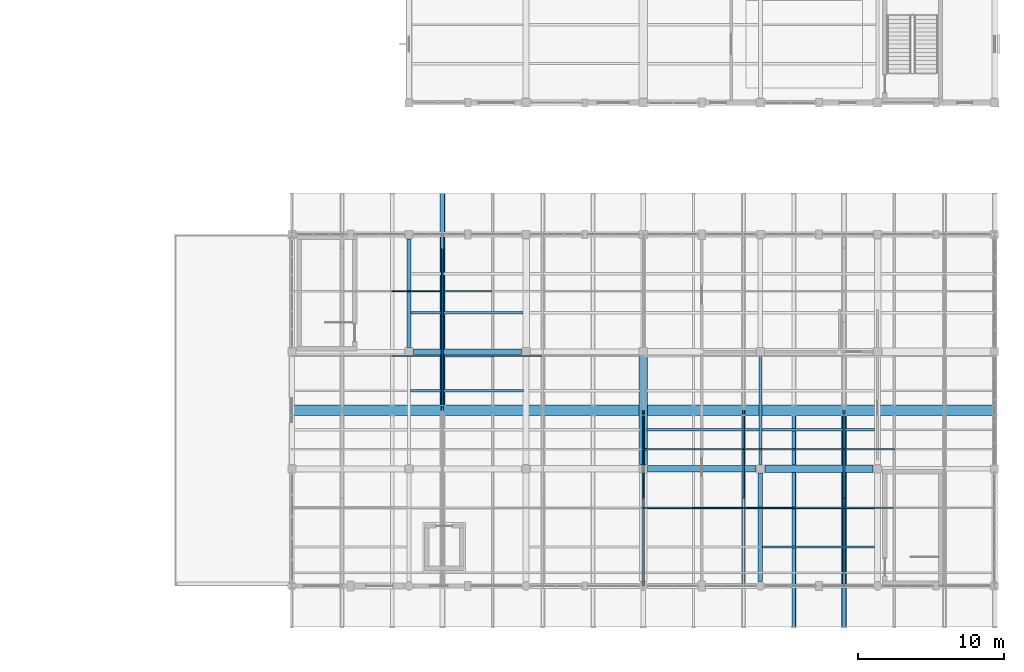
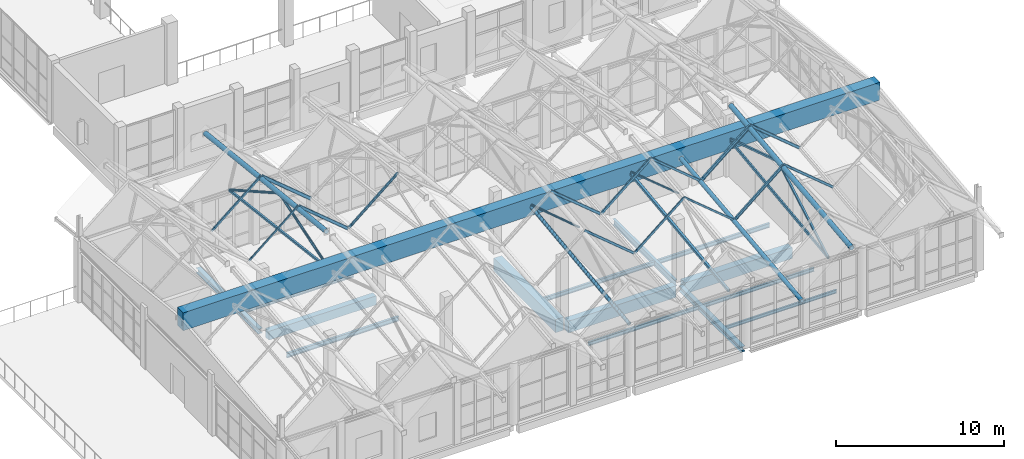
# One storey, part 76 of 183: 25 members, 18 beams.
"""IFC4 building model written with IfcOpenShell, lengths in metres."""

from ifc_helpers import new_model, si_unit, direction, frame, origin, origin_2d, place, context, subcontext, project, spatial, rectangle, hollow_rectangle, hollow_circle, i_section, extrude, material, material_profile, profile_set, type_object, element, save


model = new_model("IFC4")

# Units and contexts
model_context = context("Model", 3, precision=1e-05, world=origin(), true_north=direction((0.0, 1.0)))
body_context = subcontext(model_context, "Body", "Model", "MODEL_VIEW")
ifc_project = project(units=[si_unit("LENGTHUNIT", "METRE"), si_unit("AREAUNIT", "SQUARE_METRE"), si_unit("VOLUMEUNIT", "CUBIC_METRE"), si_unit("PLANEANGLEUNIT", "RADIAN"), si_unit("MASSUNIT", "GRAM", prefix="KILO")], contexts=[model_context])

# Site, building, storey
site_placement = place(None, origin())
site = spatial("IfcSite", under=ifc_project, at=site_placement, CompositionType="ELEMENT")
building_placement = place(site_placement, origin())
building = spatial("IfcBuilding", under=site, at=building_placement, Name="Luwemba Playhouse", CompositionType="ELEMENT")
storey_placement = place(building_placement, frame((0.0, 0.0, 4.800048828125)))
storey = spatial("IfcBuildingStorey", under=building, at=storey_placement, Name="L01", CompositionType="ELEMENT", Elevation=4.800048828125)

# Beams
ifc_material_1 = material(Name="Concrete C40/50", Category="concrete")
ifc_material_profile_1 = material_profile(ifc_material_1, rectangle(XDim=0.39990234375, YDim=0.64990234375, at=origin_2d()))
ifc_profile_set_1 = profile_set([ifc_material_profile_1], Name="Concrete C40/50")
beam_type_1 = type_object("IfcBeamType", Name="BM-RB02", PredefinedType="BEAM", material=ifc_profile_set_1)
beam_1_placement = place(storey_placement, frame((132.300048828125, 19.0, -0.574951171875), z_axis=(1.0, 0.0, 0.0), x_axis=(0.0, 1.0, 0.0)))
element("IfcBeam", 1, at=beam_1_placement, inside=storey, type_object=beam_type_1, Name="L01 grid girder 0532", PredefinedType="BEAM", context=body_context, shape_type="SweptSolid", body=[
    extrude(rectangle(XDim=0.39990234375, YDim=0.64990234375, at=origin_2d()), origin(), (0.0, 0.0, 1.0), 7.39990234375),
])
ifc_material_profile_2 = material_profile(ifc_material_1, rectangle(XDim=0.449951171875, YDim=0.85009765625, at=origin_2d()))
ifc_profile_set_2 = profile_set([ifc_material_profile_2], Name="Concrete C40/50")
beam_type_2 = type_object("IfcBeamType", Name="BM-RB05", PredefinedType="BEAM", material=ifc_profile_set_2)
beam_2_placement = place(storey_placement, frame((148.300048828125, 11.0, -0.675048828125), z_axis=(1.0, 0.0, 0.0), x_axis=(0.0, 1.0, 0.0)))
element("IfcBeam", 2, at=beam_2_placement, inside=storey, type_object=beam_type_2, Name="L01 grid girder 0528", PredefinedType="BEAM", context=body_context, shape_type="SweptSolid", body=[
    extrude(rectangle(XDim=0.449951171875, YDim=0.85009765625, at=origin_2d()), origin(), (0.0, 0.0, 1.0), 7.39990234375),
])
ifc_material_profile_3 = material_profile(ifc_material_1, rectangle(XDim=0.5, YDim=0.800048828125, at=origin_2d()))
ifc_profile_set_3 = profile_set([ifc_material_profile_3], Name="Concrete C40/50")
beam_type_3 = type_object("IfcBeamType", Name="BM-RB06", PredefinedType="BEAM", material=ifc_profile_set_3)
beam_3_placement = place(storey_placement, frame((156.300048828125, 11.0, -0.650146484375), z_axis=(1.0, 0.0, 0.0), x_axis=(0.0, 1.0, 0.0)))
element("IfcBeam", 3, at=beam_3_placement, inside=storey, type_object=beam_type_3, Name="L01 grid girder 0529", PredefinedType="BEAM", context=body_context, shape_type="SweptSolid", body=[
    extrude(rectangle(XDim=0.5, YDim=0.800048828125, at=origin_2d()), origin(), (0.0, 0.0, 1.0), 7.39990234375),
])
ifc_material_profile_4 = material_profile(ifc_material_1, rectangle(XDim=0.550048828125, YDim=0.949951171875, at=origin_2d()))
ifc_profile_set_4 = profile_set([ifc_material_profile_4], Name="Concrete C40/50")
beam_type_4 = type_object("IfcBeamType", Name="BM-RB08", PredefinedType="BEAM", material=ifc_profile_set_4)
beam_4_placement = place(storey_placement, frame((148.0, 11.300048828125, -0.72509765625), z_axis=(0.0, 1.0, 0.0), x_axis=(-1.0, 0.0, 0.0)))
element("IfcBeam", 4, at=beam_4_placement, inside=storey, type_object=beam_type_4, Name="L01 transverse girder 0553", PredefinedType="BEAM", context=body_context, shape_type="SweptSolid", body=[
    extrude(rectangle(XDim=0.550048828125, YDim=0.949951171875, at=origin_2d()), origin(), (0.0, 0.0, 1.0), 7.39990234375),
])
ifc_material_profile_5 = material_profile(ifc_material_1, rectangle(XDim=0.699951171875, YDim=1.300048828125, at=origin_2d()))
ifc_profile_set_5 = profile_set([ifc_material_profile_5], Name="Concrete C40/50")
beam_type_5 = type_object("IfcBeamType", Name="BM-RB12", PredefinedType="BEAM", material=ifc_profile_set_5)
beam_5_placement = place(storey_placement, frame((124.0, 15.0, 5.864013671875), z_axis=(1.0, 0.0, 0.0), x_axis=(0.0, 1.0, 0.0)))
element("IfcBeam", 5, at=beam_5_placement, inside=storey, type_object=beam_type_5, Name="RF-V5E central ridge spine girder 0311", PredefinedType="BEAM", context=body_context, shape_type="SweptSolid", body=[
    extrude(rectangle(XDim=0.699951171875, YDim=1.300048828125, at=origin_2d()), origin(), (0.0, 0.0, 1.0), 48.0),
])
ifc_material_2 = material(Name="Steel S355", Category="steel")
ifc_material_profile_6 = material_profile(ifc_material_2, hollow_circle(Radius=0.136474609375, WallThickness=0.012451171875, at=origin_2d()))
ifc_profile_set_6 = profile_set([ifc_material_profile_6], Name="Steel S355")
beam_type_6 = type_object("IfcBeamType", Name="BM-RTG3", PredefinedType="USERDEFINED", material=ifc_profile_set_6)
beam_6_placement = place(storey_placement, frame((158.28564453125, 0.199951171875, 4.15478515625), z_axis=(0.0, 0.993786292845, 0.111305005073), x_axis=(-1.0, 0.0, 0.0)))
element("IfcBeam", 6, at=beam_6_placement, inside=storey, type_object=beam_type_6, Name="ROOF TRUSS valley girder 0332", ObjectType="ROOF TRUSS", PredefinedType="USERDEFINED", context=body_context, shape_type="SweptSolid", body=[
    extrude(hollow_circle(Radius=0.136474609375, WallThickness=0.012451171875, at=origin_2d()), origin(), (0.0, 0.0, 1.0), 14.540283203125),
])
ifc_material_profile_7 = material_profile(ifc_material_2, hollow_circle(Radius=0.161865234375, WallThickness=0.01611328125, at=origin_2d()))
ifc_profile_set_7 = profile_set([ifc_material_profile_7], Name="Steel S355")
beam_type_7 = type_object("IfcBeamType", Name="BM-RTG4", PredefinedType="USERDEFINED", material=ifc_profile_set_7)
for number, where, z_axis, x_axis, name in (
    (7, (134.28564453125, 15.35009765625, 8.425537109375), (0.0, 0.993786292845, -0.111305005073), (-1.0, 0.0, 0.0), "ROOF TRUSS ridge girder 0319"),
    (8, (161.71435546875, 0.199951171875, 6.80712890625), (0.0, 0.993786292845, 0.111305005073), (-1.0, 0.0, 0.0), "ROOF TRUSS ridge girder 0334"),
):
    element("IfcBeam", number, at=place(storey_placement, frame(where, z_axis=z_axis, x_axis=x_axis)), inside=storey, type_object=beam_type_7, Name=name, ObjectType="ROOF TRUSS", PredefinedType="USERDEFINED", context=body_context, shape_type="SweptSolid", body=[
        extrude(hollow_circle(Radius=0.161865234375, WallThickness=0.01611328125, at=origin_2d()), origin(), (0.0, 0.0, 1.0), 14.540283203125),
    ])
ifc_material_profile_8 = material_profile(ifc_material_2, i_section(OverallWidth=0.300048828125, OverallDepth=0.389892578125, WebThickness=0.010986328125, FlangeThickness=0.01904296875, FilletRadius=0.027099609375, at=origin_2d()))
ifc_profile_set_8 = profile_set([ifc_material_profile_8], Name="Steel S355")
beam_type_8 = type_object("IfcBeamType", Name="BM-SB05", PredefinedType="BEAM", material=ifc_profile_set_8)
beam_7_placement = place(storey_placement, frame((156.0, 3.300048828125, -0.445068359375), z_axis=(0.0, 1.0, 0.0), x_axis=(-1.0, 0.0, 0.0)))
element("IfcBeam", 9, at=beam_7_placement, inside=storey, type_object=beam_type_8, Name="L01 transverse girder 0555", PredefinedType="BEAM", context=body_context, shape_type="SweptSolid", body=[
    extrude(i_section(OverallWidth=0.300048828125, OverallDepth=0.389892578125, WebThickness=0.010986328125, FlangeThickness=0.01904296875, FilletRadius=0.027099609375, at=origin_2d()), origin(), (0.0, 0.0, 1.0), 7.39990234375),
])
ifc_material_profile_9 = material_profile(ifc_material_2, i_section(OverallWidth=0.18994140625, OverallDepth=0.449951171875, WebThickness=0.009521484375, FlangeThickness=0.0146484375, FilletRadius=0.02099609375, at=origin_2d()))
ifc_profile_set_9 = profile_set([ifc_material_profile_9], Name="Steel S355")
beam_type_9 = type_object("IfcBeamType", Name="BM-SB06", PredefinedType="BEAM", material=ifc_profile_set_9)
beam_8_placement = place(storey_placement, frame((156.0, 11.300048828125, -0.47509765625), z_axis=(0.0, 1.0, 0.0), x_axis=(-1.0, 0.0, 0.0)))
element("IfcBeam", 10, at=beam_8_placement, inside=storey, type_object=beam_type_9, Name="L01 transverse girder 0556", PredefinedType="BEAM", context=body_context, shape_type="SweptSolid", body=[
    extrude(i_section(OverallWidth=0.18994140625, OverallDepth=0.449951171875, WebThickness=0.009521484375, FlangeThickness=0.0146484375, FilletRadius=0.02099609375, at=origin_2d()), origin(), (0.0, 0.0, 1.0), 7.39990234375),
])
ifc_material_profile_10 = material_profile(ifc_material_2, i_section(OverallWidth=0.300048828125, OverallDepth=0.360107421875, WebThickness=0.012451171875, FlangeThickness=0.0224609375, FilletRadius=0.027099609375, at=origin_2d()))
ifc_profile_set_10 = profile_set([ifc_material_profile_10], Name="Steel S355")
beam_type_10 = type_object("IfcBeamType", Name="BM-SB09", PredefinedType="BEAM", material=ifc_profile_set_10)
beam_9_placement = place(storey_placement, frame((132.0, 19.300048828125, -0.429931640625), z_axis=(0.0, 1.0, 0.0), x_axis=(-1.0, 0.0, 0.0)))
element("IfcBeam", 11, at=beam_9_placement, inside=storey, type_object=beam_type_10, Name="L01 transverse girder 0548", PredefinedType="BEAM", context=body_context, shape_type="SweptSolid", body=[
    extrude(i_section(OverallWidth=0.300048828125, OverallDepth=0.360107421875, WebThickness=0.012451171875, FlangeThickness=0.0224609375, FilletRadius=0.027099609375, at=origin_2d()), origin(), (0.0, 0.0, 1.0), 7.39990234375),
])
ifc_material_profile_11 = material_profile(ifc_material_2, i_section(OverallWidth=0.1201171875, OverallDepth=0.239990234375, WebThickness=0.006103515625, FlangeThickness=0.009765625, FilletRadius=0.014892578125, at=origin_2d()))
ifc_profile_set_11 = profile_set([ifc_material_profile_11], Name="Steel S355")
beam_type_11 = type_object("IfcBeamType", Name="BM-SJ03", PredefinedType="JOIST", material=ifc_profile_set_11)
beam_10_placement = place(storey_placement, frame((156.14599609375, 5.666748046875, -0.3701171875), z_axis=(1.0, 0.0, 0.0), x_axis=(0.0, 1.0, 0.0)))
element("IfcBeam", 12, at=beam_10_placement, inside=storey, type_object=beam_type_11, Name="L01 composite floor joist 0328", PredefinedType="JOIST", context=body_context, shape_type="SweptSolid", body=[
    extrude(i_section(OverallWidth=0.1201171875, OverallDepth=0.239990234375, WebThickness=0.006103515625, FlangeThickness=0.009765625, FilletRadius=0.014892578125, at=origin_2d()), origin(), (0.0, 0.0, 1.0), 7.657958984375),
])
ifc_material_profile_12 = material_profile(ifc_material_2, i_section(OverallWidth=0.135009765625, OverallDepth=0.27001953125, WebThickness=0.006591796875, FlangeThickness=0.01025390625, FilletRadius=0.014892578125, at=origin_2d()))
ifc_profile_set_12 = profile_set([ifc_material_profile_12], Name="Steel S355")
beam_type_12 = type_object("IfcBeamType", Name="BM-SJ04", PredefinedType="JOIST", material=ifc_profile_set_12)
beam_11_placement = place(storey_placement, frame((148.24609375, 8.333251953125, -0.385009765625), z_axis=(1.0, 0.0, 0.0), x_axis=(0.0, 1.0, 0.0)))
element("IfcBeam", 13, at=beam_11_placement, inside=storey, type_object=beam_type_12, Name="L01 composite floor joist 0323", PredefinedType="JOIST", context=body_context, shape_type="SweptSolid", body=[
    extrude(i_section(OverallWidth=0.135009765625, OverallDepth=0.27001953125, WebThickness=0.006591796875, FlangeThickness=0.01025390625, FilletRadius=0.014892578125, at=origin_2d()), origin(), (0.0, 0.0, 1.0), 7.60791015625),
])
beam_12_placement = place(storey_placement, frame((156.14599609375, 8.333251953125, -0.385009765625), z_axis=(1.0, 0.0, 0.0), x_axis=(0.0, 1.0, 0.0)))
element("IfcBeam", 14, at=beam_12_placement, inside=storey, type_object=beam_type_12, Name="L01 composite floor joist 0329", PredefinedType="JOIST", context=body_context, shape_type="SweptSolid", body=[
    extrude(i_section(OverallWidth=0.135009765625, OverallDepth=0.27001953125, WebThickness=0.006591796875, FlangeThickness=0.01025390625, FilletRadius=0.014892578125, at=origin_2d()), origin(), (0.0, 0.0, 1.0), 7.657958984375),
])
ifc_material_profile_13 = material_profile(ifc_material_2, i_section(OverallWidth=0.14990234375, OverallDepth=0.300048828125, WebThickness=0.007080078125, FlangeThickness=0.0107421875, FilletRadius=0.014892578125, at=origin_2d()))
ifc_profile_set_13 = profile_set([ifc_material_profile_13], Name="Steel S355")
beam_type_13 = type_object("IfcBeamType", Name="BM-SJ05", PredefinedType="JOIST", material=ifc_profile_set_13)
beam_13_placement = place(storey_placement, frame((148.27099609375, 13.666748046875, -0.400146484375), z_axis=(1.0, 0.0, 0.0), x_axis=(0.0, 1.0, 0.0)))
element("IfcBeam", 15, at=beam_13_placement, inside=storey, type_object=beam_type_13, Name="L01 composite floor joist 0324", PredefinedType="JOIST", context=body_context, shape_type="SweptSolid", body=[
    extrude(i_section(OverallWidth=0.14990234375, OverallDepth=0.300048828125, WebThickness=0.007080078125, FlangeThickness=0.0107421875, FilletRadius=0.014892578125, at=origin_2d()), origin(), (0.0, 0.0, 1.0), 7.637939453125),
])
beam_14_placement = place(storey_placement, frame((156.091064453125, 13.666748046875, -0.400146484375), z_axis=(1.0, 0.0, 0.0), x_axis=(0.0, 1.0, 0.0)))
element("IfcBeam", 16, at=beam_14_placement, inside=storey, type_object=beam_type_13, Name="L01 composite floor joist 0330", PredefinedType="JOIST", context=body_context, shape_type="SweptSolid", body=[
    extrude(i_section(OverallWidth=0.14990234375, OverallDepth=0.300048828125, WebThickness=0.007080078125, FlangeThickness=0.0107421875, FilletRadius=0.014892578125, at=origin_2d()), origin(), (0.0, 0.0, 1.0), 7.712890625),
])
ifc_material_profile_14 = material_profile(ifc_material_2, i_section(OverallWidth=0.159912109375, OverallDepth=0.330078125, WebThickness=0.007568359375, FlangeThickness=0.011474609375, FilletRadius=0.01806640625, at=origin_2d()))
ifc_profile_set_14 = profile_set([ifc_material_profile_14], Name="Steel S355")
beam_type_14 = type_object("IfcBeamType", Name="BM-SJ06", PredefinedType="JOIST", material=ifc_profile_set_14)
beam_15_placement = place(storey_placement, frame((132.091064453125, 16.333251953125, -0.4150390625), z_axis=(1.0, 0.0, 0.0), x_axis=(0.0, 1.0, 0.0)))
element("IfcBeam", 17, at=beam_15_placement, inside=storey, type_object=beam_type_14, Name="L01 composite floor joist 0313", PredefinedType="JOIST", context=body_context, shape_type="SweptSolid", body=[
    extrude(i_section(OverallWidth=0.159912109375, OverallDepth=0.330078125, WebThickness=0.007568359375, FlangeThickness=0.011474609375, FilletRadius=0.01806640625, at=origin_2d()), origin(), (0.0, 0.0, 1.0), 7.712890625),
])
ifc_material_profile_15 = material_profile(ifc_material_2, i_section(OverallWidth=0.169921875, OverallDepth=0.360107421875, WebThickness=0.008056640625, FlangeThickness=0.0126953125, FilletRadius=0.01806640625, at=origin_2d()))
ifc_profile_set_15 = profile_set([ifc_material_profile_15], Name="Steel S355")
beam_type_15 = type_object("IfcBeamType", Name="BM-SJ07", PredefinedType="JOIST", material=ifc_profile_set_15)
beam_16_placement = place(storey_placement, frame((132.14599609375, 21.666748046875, -0.429931640625), z_axis=(1.0, 0.0, 0.0), x_axis=(0.0, 1.0, 0.0)))
element("IfcBeam", 18, at=beam_16_placement, inside=storey, type_object=beam_type_15, Name="L01 composite floor joist 0314", PredefinedType="JOIST", context=body_context, shape_type="SweptSolid", body=[
    extrude(i_section(OverallWidth=0.169921875, OverallDepth=0.360107421875, WebThickness=0.008056640625, FlangeThickness=0.0126953125, FilletRadius=0.01806640625, at=origin_2d()), origin(), (0.0, 0.0, 1.0), 7.633056640625),
])

# Members
ifc_material_profile_16 = material_profile(ifc_material_2, hollow_circle(Radius=0.06982421875, WallThickness=0.008056640625, at=origin_2d()))
ifc_profile_set_16 = profile_set([ifc_material_profile_16], Name="Steel S355")
member_type_1 = type_object("IfcMemberType", Name="MEM-MB01", PredefinedType="BRACE", material=ifc_profile_set_16)
member_1_placement = place(storey_placement, frame((148.0, 15.0, 5.864013671875), z_axis=(0.0, -0.952022112225, 0.306029243432), x_axis=(1.0, 0.0, 0.0)))
element("IfcMember", 19, at=member_1_placement, inside=storey, type_object=member_type_1, Name="ROOF TRUSS web diagonal 0286", PredefinedType="BRACE", context=body_context, shape_type="SweptSolid", body=[
    extrude(hollow_circle(Radius=0.06982421875, WallThickness=0.008056640625, at=origin_2d()), origin(), (0.0, 0.0, 1.0), 6.302490234375),
])
ifc_material_profile_17 = material_profile(ifc_material_2, hollow_circle(Radius=0.084228515625, WallThickness=0.008056640625, at=origin_2d()))
ifc_profile_set_17 = profile_set([ifc_material_profile_17], Name="Steel S355")
member_type_2 = type_object("IfcMemberType", Name="MEM-MB02", PredefinedType="BRACE", material=ifc_profile_set_17)
member_2_placement = place(storey_placement, frame((134.28564453125, 15.0, 5.864013671875), z_axis=(0.0, 0.952022112225, 0.306029243432), x_axis=(-1.0, 0.0, 0.0)))
element("IfcMember", 20, at=member_2_placement, inside=storey, type_object=member_type_2, Name="ROOF TRUSS web diagonal 0275", PredefinedType="BRACE", context=body_context, shape_type="SweptSolid", body=[
    extrude(hollow_circle(Radius=0.084228515625, WallThickness=0.008056640625, at=origin_2d()), origin(), (0.0, 0.0, 1.0), 6.302490234375),
])
member_3_placement = place(storey_placement, frame((134.28564453125, 27.0, 4.39990234375), z_axis=(0.0, -0.870468489249, 0.492224145308), x_axis=(1.0, 0.0, 0.0)))
element("IfcMember", 21, at=member_3_placement, inside=storey, type_object=member_type_2, Name="ROOF TRUSS web diagonal 0276", PredefinedType="BRACE", context=body_context, shape_type="SweptSolid", body=[
    extrude(hollow_circle(Radius=0.084228515625, WallThickness=0.008056640625, at=origin_2d()), origin(), (0.0, 0.0, 1.0), 6.892822265625),
])
ifc_material_profile_18 = material_profile(ifc_material_2, hollow_rectangle(XDim=0.10009765625, YDim=0.10009765625, WallThickness=0.00634765625, InnerFilletRadius=0.009521484375, OuterFilletRadius=0.015869140625, at=origin_2d()))
ifc_profile_set_18 = profile_set([ifc_material_profile_18], Name="Steel S355")
member_type_3 = type_object("IfcMemberType", Name="MEM-MB05", PredefinedType="BRACE", material=ifc_profile_set_18)
member_4_placement = place(storey_placement, frame((154.857177734375, 15.0, 5.864013671875), z_axis=(0.0, -0.949053370106, 0.315115376793), x_axis=(1.0, 0.0, 0.0)))
element("IfcMember", 22, at=member_4_placement, inside=storey, type_object=member_type_3, Name="ROOF TRUSS web diagonal 0292", PredefinedType="BRACE", context=body_context, shape_type="SweptSolid", body=[
    extrude(hollow_rectangle(XDim=0.10009765625, YDim=0.10009765625, WallThickness=0.00634765625, InnerFilletRadius=0.009521484375, OuterFilletRadius=0.015869140625, at=origin_2d()), origin(), (0.0, 0.0, 1.0), 6.322021484375),
])
ifc_material_profile_19 = material_profile(ifc_material_2, hollow_rectangle(XDim=0.139892578125, YDim=0.139892578125, WallThickness=0.008056640625, InnerFilletRadius=0.011962890625, OuterFilletRadius=0.02001953125, at=origin_2d()))
ifc_profile_set_19 = profile_set([ifc_material_profile_19], Name="Steel S355")
member_type_4 = type_object("IfcMemberType", Name="MEM-MB07", PredefinedType="BRACE", material=ifc_profile_set_19)
member_5_placement = place(storey_placement, frame((161.71435546875, 3.0, 4.39990234375), z_axis=(0.0, 0.870468489249, 0.492224145308), x_axis=(-1.0, 0.0, 0.0)))
element("IfcMember", 23, at=member_5_placement, inside=storey, type_object=member_type_4, Name="ROOF TRUSS web diagonal 0297", PredefinedType="BRACE", context=body_context, shape_type="SweptSolid", body=[
    extrude(hollow_rectangle(XDim=0.139892578125, YDim=0.139892578125, WallThickness=0.008056640625, InnerFilletRadius=0.011962890625, OuterFilletRadius=0.02001953125, at=origin_2d()), origin(), (0.0, 0.0, 1.0), 6.892822265625),
])
member_6_placement = place(storey_placement, frame((161.71435546875, 15.0, 5.864013671875), z_axis=(0.0, -0.952022112225, 0.306029243432), x_axis=(1.0, 0.0, 0.0)))
element("IfcMember", 24, at=member_6_placement, inside=storey, type_object=member_type_4, Name="ROOF TRUSS web diagonal 0298", PredefinedType="BRACE", context=body_context, shape_type="SweptSolid", body=[
    extrude(hollow_rectangle(XDim=0.139892578125, YDim=0.139892578125, WallThickness=0.008056640625, InnerFilletRadius=0.011962890625, OuterFilletRadius=0.02001953125, at=origin_2d()), origin(), (0.0, 0.0, 1.0), 6.302490234375),
])
ifc_material_profile_20 = material_profile(ifc_material_2, hollow_circle(Radius=0.122314453125, WallThickness=0.012451171875, at=origin_2d()))
ifc_profile_set_20 = profile_set([ifc_material_profile_20], Name="Steel S355")
member_type_5 = type_object("IfcMemberType", Name="MEM-MC01", PredefinedType="CHORD", material=ifc_profile_set_20)
member_7_placement = place(storey_placement, frame((148.0, 3.0, 4.39990234375), z_axis=(0.0, 0.992638950812, 0.121111161052), x_axis=(-1.0, 0.0, 0.0)))
element("IfcMember", 25, at=member_7_placement, inside=storey, type_object=member_type_5, Name="ROOF TRUSS south bottom chord 0283", PredefinedType="CHORD", context=body_context, shape_type="SweptSolid", body=[
    extrude(hollow_circle(Radius=0.122314453125, WallThickness=0.012451171875, at=origin_2d()), origin(), (0.0, 0.0, 1.0), 12.0888671875),
])
ifc_material_profile_21 = material_profile(ifc_material_2, hollow_rectangle(XDim=0.14990234375, YDim=0.14990234375, WallThickness=0.010009765625, InnerFilletRadius=0.014892578125, OuterFilletRadius=0.02490234375, at=origin_2d()))
ifc_profile_set_21 = profile_set([ifc_material_profile_21], Name="Steel S355")
member_type_6 = type_object("IfcMemberType", Name="MEM-MC02", PredefinedType="CHORD", material=ifc_profile_set_21)
member_8_placement = place(storey_placement, frame((134.28564453125, 15.0, 5.864013671875), z_axis=(0.0, 0.992638950812, -0.121111161052), x_axis=(-1.0, 0.0, 0.0)))
element("IfcMember", 26, at=member_8_placement, inside=storey, type_object=member_type_6, Name="ROOF TRUSS north bottom chord 0272", PredefinedType="CHORD", context=body_context, shape_type="SweptSolid", body=[
    extrude(hollow_rectangle(XDim=0.14990234375, YDim=0.14990234375, WallThickness=0.010009765625, InnerFilletRadius=0.014892578125, OuterFilletRadius=0.02490234375, at=origin_2d()), origin(), (0.0, 0.0, 1.0), 12.0888671875),
])
ifc_material_profile_22 = material_profile(ifc_material_2, hollow_rectangle(XDim=0.179931640625, YDim=0.179931640625, WallThickness=0.010009765625, InnerFilletRadius=0.014892578125, OuterFilletRadius=0.02490234375, at=origin_2d()))
ifc_profile_set_22 = profile_set([ifc_material_profile_22], Name="Steel S355")
member_type_7 = type_object("IfcMemberType", Name="MEM-MC03", PredefinedType="CHORD", material=ifc_profile_set_22)
member_9_placement = place(storey_placement, frame((154.857177734375, 3.0, 4.39990234375), z_axis=(0.0, 0.992638950812, 0.121111161052), x_axis=(-1.0, 0.0, 0.0)))
element("IfcMember", 27, at=member_9_placement, inside=storey, type_object=member_type_7, Name="ROOF TRUSS south bottom chord 0289", PredefinedType="CHORD", context=body_context, shape_type="SweptSolid", body=[
    extrude(hollow_rectangle(XDim=0.179931640625, YDim=0.179931640625, WallThickness=0.010009765625, InnerFilletRadius=0.014892578125, OuterFilletRadius=0.02490234375, at=origin_2d()), origin(), (0.0, 0.0, 1.0), 12.0888671875),
])
ifc_material_profile_23 = material_profile(ifc_material_2, hollow_rectangle(XDim=0.1201171875, YDim=0.199951171875, WallThickness=0.010009765625, InnerFilletRadius=0.014892578125, OuterFilletRadius=0.02490234375, at=origin_2d()))
ifc_profile_set_23 = profile_set([ifc_material_profile_23], Name="Steel S355")
member_type_8 = type_object("IfcMemberType", Name="MEM-MC05", PredefinedType="CHORD", material=ifc_profile_set_23)
member_10_placement = place(storey_placement, frame((161.71435546875, 3.0, 4.39990234375), z_axis=(0.0, 0.992638950812, 0.121111161052), x_axis=(-1.0, 0.0, 0.0)))
element("IfcMember", 28, at=member_10_placement, inside=storey, type_object=member_type_8, Name="ROOF TRUSS south bottom chord 0295", PredefinedType="CHORD", context=body_context, shape_type="SweptSolid", body=[
    extrude(hollow_rectangle(XDim=0.1201171875, YDim=0.199951171875, WallThickness=0.010009765625, InnerFilletRadius=0.014892578125, OuterFilletRadius=0.02490234375, at=origin_2d()), origin(), (0.0, 0.0, 1.0), 12.0888671875),
])
ifc_material_profile_24 = material_profile(ifc_material_2, hollow_rectangle(XDim=0.080078125, YDim=0.1201171875, WallThickness=0.00634765625, InnerFilletRadius=0.009521484375, OuterFilletRadius=0.015869140625, at=origin_2d()))
ifc_profile_set_24 = profile_set([ifc_material_profile_24], Name="Steel S355")
member_type_9 = type_object("IfcMemberType", Name="MEM-MP01", PredefinedType="PURLIN", material=ifc_profile_set_24)
member_11_placement = place(storey_placement, frame((130.857177734375, 18.699951171875, 5.446044921875), z_axis=(0.768342353216, 0.0, 0.640039083381), x_axis=(0.0, 1.0, 0.0)))
element("IfcMember", 29, at=member_11_placement, inside=storey, type_object=member_type_9, Name="Pleated roof purlin 0544", PredefinedType="PURLIN", context=body_context, shape_type="SweptSolid", body=[
    extrude(hollow_rectangle(XDim=0.080078125, YDim=0.1201171875, WallThickness=0.00634765625, InnerFilletRadius=0.009521484375, OuterFilletRadius=0.015869140625, at=origin_2d()), origin(), (0.0, 0.0, 1.0), 4.462158203125),
])
member_12_placement = place(storey_placement, frame((154.857177734375, 8.340087890625, 7.970703125), z_axis=(0.768315447045, 0.0, -0.640071381826), x_axis=(0.0, 1.0, 0.0)))
element("IfcMember", 30, at=member_12_placement, inside=storey, type_object=member_type_9, Name="Pleated roof purlin 0584", PredefinedType="PURLIN", context=body_context, shape_type="SweptSolid", body=[
    extrude(hollow_rectangle(XDim=0.080078125, YDim=0.1201171875, WallThickness=0.00634765625, InnerFilletRadius=0.009521484375, OuterFilletRadius=0.015869140625, at=origin_2d()), origin(), (0.0, 0.0, 1.0), 4.46240234375),
])
ifc_material_profile_25 = material_profile(ifc_material_2, hollow_rectangle(XDim=0.10009765625, YDim=0.14990234375, WallThickness=0.008056640625, InnerFilletRadius=0.011962890625, OuterFilletRadius=0.02001953125, at=origin_2d()))
ifc_profile_set_25 = profile_set([ifc_material_profile_25], Name="Steel S355")
member_type_10 = type_object("IfcMemberType", Name="MEM-MP02", PredefinedType="PURLIN", material=ifc_profile_set_25)
for number, where, z_axis, x_axis, name in (
    (31, (130.857177734375, 23.139892578125, 4.925537109375), (0.768342353216, 0.0, 0.640039083381), (0.0, 1.0, 0.0), "Pleated roof purlin 0545"),
    (32, (154.857177734375, 12.3359375, 8.394775390625), (0.768342353216, 0.0, -0.640039083381), (0.0, 1.0, 0.0), "Pleated roof purlin 0585"),
):
    element("IfcMember", number, at=place(storey_placement, frame(where, z_axis=z_axis, x_axis=x_axis)), inside=storey, type_object=member_type_10, Name=name, PredefinedType="PURLIN", context=body_context, shape_type="SweptSolid", body=[
        extrude(hollow_rectangle(XDim=0.10009765625, YDim=0.14990234375, WallThickness=0.008056640625, InnerFilletRadius=0.011962890625, OuterFilletRadius=0.02001953125, at=origin_2d()), origin(), (0.0, 0.0, 1.0), 4.462158203125),
    ])
ifc_material_profile_26 = material_profile(ifc_material_2, hollow_rectangle(XDim=0.080078125, YDim=0.159912109375, WallThickness=0.00634765625, InnerFilletRadius=0.009521484375, OuterFilletRadius=0.015869140625, at=origin_2d()))
ifc_profile_set_26 = profile_set([ifc_material_profile_26], Name="Steel S355")
member_type_11 = type_object("IfcMemberType", Name="MEM-MP03", PredefinedType="PURLIN", material=ifc_profile_set_26)
member_13_placement = place(storey_placement, frame((151.4287109375, 8.340087890625, 5.094482421875), z_axis=(0.768342353216, 0.0, 0.640039083381), x_axis=(0.0, 1.0, 0.0)))
element("IfcMember", 33, at=member_13_placement, inside=storey, type_object=member_type_11, Name="Pleated roof purlin 0578", PredefinedType="PURLIN", context=body_context, shape_type="SweptSolid", body=[
    extrude(hollow_rectangle(XDim=0.080078125, YDim=0.159912109375, WallThickness=0.00634765625, InnerFilletRadius=0.009521484375, OuterFilletRadius=0.015869140625, at=origin_2d()), origin(), (0.0, 0.0, 1.0), 4.462158203125),
])
ifc_material_profile_27 = material_profile(ifc_material_2, hollow_rectangle(XDim=0.10009765625, YDim=0.179931640625, WallThickness=0.008056640625, InnerFilletRadius=0.011962890625, OuterFilletRadius=0.02001953125, at=origin_2d()))
ifc_profile_set_27 = profile_set([ifc_material_profile_27], Name="Steel S355")
member_type_12 = type_object("IfcMemberType", Name="MEM-MP04", PredefinedType="PURLIN", material=ifc_profile_set_27)
member_14_placement = place(storey_placement, frame((151.4287109375, 12.3359375, 5.52392578125), z_axis=(0.768369259913, 0.0, 0.640006781543), x_axis=(0.0, 1.0, 0.0)))
element("IfcMember", 34, at=member_14_placement, inside=storey, type_object=member_type_12, Name="Pleated roof purlin 0579", PredefinedType="PURLIN", context=body_context, shape_type="SweptSolid", body=[
    extrude(hollow_rectangle(XDim=0.10009765625, YDim=0.179931640625, WallThickness=0.008056640625, InnerFilletRadius=0.011962890625, OuterFilletRadius=0.02001953125, at=origin_2d()), origin(), (0.0, 0.0, 1.0), 4.4619140625),
])
ifc_material_profile_28 = material_profile(ifc_material_2, i_section(OverallWidth=0.08203125, OverallDepth=0.159912109375, WebThickness=0.0048828125, FlangeThickness=0.00732421875, FilletRadius=0.009033203125, at=origin_2d()))
ifc_profile_set_28 = profile_set([ifc_material_profile_28], Name="Steel S355")
member_type_13 = type_object("IfcMemberType", Name="MEM-MP05", PredefinedType="PURLIN", material=ifc_profile_set_28)
member_15_placement = place(storey_placement, frame((137.71435546875, 18.699951171875, 5.42529296875), z_axis=(0.768342353216, 0.0, 0.640039083381), x_axis=(0.0, 1.0, 0.0)))
element("IfcMember", 35, at=member_15_placement, inside=storey, type_object=member_type_13, Name="Pleated roof purlin 0556", PredefinedType="PURLIN", context=body_context, shape_type="SweptSolid", body=[
    extrude(i_section(OverallWidth=0.08203125, OverallDepth=0.159912109375, WebThickness=0.0048828125, FlangeThickness=0.00732421875, FilletRadius=0.009033203125, at=origin_2d()), origin(), (0.0, 0.0, 1.0), 4.462158203125),
])
member_16_placement = place(storey_placement, frame((148.0, 8.340087890625, 7.94970703125), z_axis=(0.768364765209, 0.0, -0.640012177685), x_axis=(0.0, 1.0, 0.0)))
element("IfcMember", 36, at=member_16_placement, inside=storey, type_object=member_type_13, Name="Pleated roof purlin 0572", PredefinedType="PURLIN", context=body_context, shape_type="SweptSolid", body=[
    extrude(i_section(OverallWidth=0.08203125, OverallDepth=0.159912109375, WebThickness=0.0048828125, FlangeThickness=0.00732421875, FilletRadius=0.009033203125, at=origin_2d()), origin(), (0.0, 0.0, 1.0), 4.46240234375),
])
member_17_placement = place(storey_placement, frame((161.71435546875, 8.340087890625, 7.94970703125), z_axis=(0.768342353216, 0.0, -0.640039083381), x_axis=(0.0, 1.0, 0.0)))
element("IfcMember", 37, at=member_17_placement, inside=storey, type_object=member_type_13, Name="Pleated roof purlin 0596", PredefinedType="PURLIN", context=body_context, shape_type="SweptSolid", body=[
    extrude(i_section(OverallWidth=0.08203125, OverallDepth=0.159912109375, WebThickness=0.0048828125, FlangeThickness=0.00732421875, FilletRadius=0.009033203125, at=origin_2d()), origin(), (0.0, 0.0, 1.0), 4.462158203125),
])
ifc_material_profile_29 = material_profile(ifc_material_2, i_section(OverallWidth=0.091064453125, OverallDepth=0.179931640625, WebThickness=0.00537109375, FlangeThickness=0.008056640625, FilletRadius=0.009033203125, at=origin_2d()))
ifc_profile_set_29 = profile_set([ifc_material_profile_29], Name="Steel S355")
member_type_14 = type_object("IfcMemberType", Name="MEM-MP06", PredefinedType="PURLIN", material=ifc_profile_set_29)
member_18_placement = place(storey_placement, frame((148.0, 12.3359375, 8.383544921875), z_axis=(0.768364765209, 0.0, -0.640012177685), x_axis=(0.0, 1.0, 0.0)))
element("IfcMember", 38, at=member_18_placement, inside=storey, type_object=member_type_14, Name="Pleated roof purlin 0573", PredefinedType="PURLIN", context=body_context, shape_type="SweptSolid", body=[
    extrude(i_section(OverallWidth=0.091064453125, OverallDepth=0.179931640625, WebThickness=0.00537109375, FlangeThickness=0.008056640625, FilletRadius=0.009033203125, at=origin_2d()), origin(), (0.0, 0.0, 1.0), 4.46240234375),
])
member_19_placement = place(storey_placement, frame((161.71435546875, 12.3359375, 8.383544921875), z_axis=(0.768342353216, 0.0, -0.640039083381), x_axis=(0.0, 1.0, 0.0)))
element("IfcMember", 39, at=member_19_placement, inside=storey, type_object=member_type_14, Name="Pleated roof purlin 0597", PredefinedType="PURLIN", context=body_context, shape_type="SweptSolid", body=[
    extrude(i_section(OverallWidth=0.091064453125, OverallDepth=0.179931640625, WebThickness=0.00537109375, FlangeThickness=0.008056640625, FilletRadius=0.009033203125, at=origin_2d()), origin(), (0.0, 0.0, 1.0), 4.462158203125),
])
ifc_material_profile_30 = material_profile(ifc_material_2, i_section(OverallWidth=0.10009765625, OverallDepth=0.199951171875, WebThickness=0.005615234375, FlangeThickness=0.008544921875, FilletRadius=0.011962890625, at=origin_2d()))
ifc_profile_set_30 = profile_set([ifc_material_profile_30], Name="Steel S355")
member_type_15 = type_object("IfcMemberType", Name="MEM-MP07", PredefinedType="PURLIN", material=ifc_profile_set_30)
for number, where, z_axis, x_axis, name in (
    (40, (134.28564453125, 18.699951171875, 8.253662109375), (0.768364765209, 0.0, -0.640012177685), (0.0, 1.0, 0.0), "Pleated roof purlin 0550"),
    (41, (158.28564453125, 8.340087890625, 5.066162109375), (0.768337860515, 0.0, 0.640044476657), (0.0, 1.0, 0.0), "Pleated roof purlin 0590"),
):
    element("IfcMember", number, at=place(storey_placement, frame(where, z_axis=z_axis, x_axis=x_axis)), inside=storey, type_object=member_type_15, Name=name, PredefinedType="PURLIN", context=body_context, shape_type="SweptSolid", body=[
        extrude(i_section(OverallWidth=0.10009765625, OverallDepth=0.199951171875, WebThickness=0.005615234375, FlangeThickness=0.008544921875, FilletRadius=0.011962890625, at=origin_2d()), origin(), (0.0, 0.0, 1.0), 4.46240234375),
    ])
ifc_material_profile_31 = material_profile(ifc_material_2, i_section(OverallWidth=0.110107421875, OverallDepth=0.219970703125, WebThickness=0.005859375, FlangeThickness=0.00927734375, FilletRadius=0.011962890625, at=origin_2d()))
ifc_profile_set_31 = profile_set([ifc_material_profile_31], Name="Steel S355")
member_type_16 = type_object("IfcMemberType", Name="MEM-MP08", PredefinedType="PURLIN", material=ifc_profile_set_31)
for number, where, z_axis, x_axis, name in (
    (42, (134.28564453125, 23.139892578125, 7.742431640625), (0.768337860515, 0.0, -0.640044476657), (0.0, 1.0, 0.0), "Pleated roof purlin 0551"),
    (43, (158.28564453125, 12.3359375, 5.499755859375), (0.768364765209, 0.0, 0.640012177685), (0.0, 1.0, 0.0), "Pleated roof purlin 0591"),
):
    element("IfcMember", number, at=place(storey_placement, frame(where, z_axis=z_axis, x_axis=x_axis)), inside=storey, type_object=member_type_16, Name=name, PredefinedType="PURLIN", context=body_context, shape_type="SweptSolid", body=[
        extrude(i_section(OverallWidth=0.110107421875, OverallDepth=0.219970703125, WebThickness=0.005859375, FlangeThickness=0.00927734375, FilletRadius=0.011962890625, at=origin_2d()), origin(), (0.0, 0.0, 1.0), 4.46240234375),
    ])

save(model, "model.ifc")
